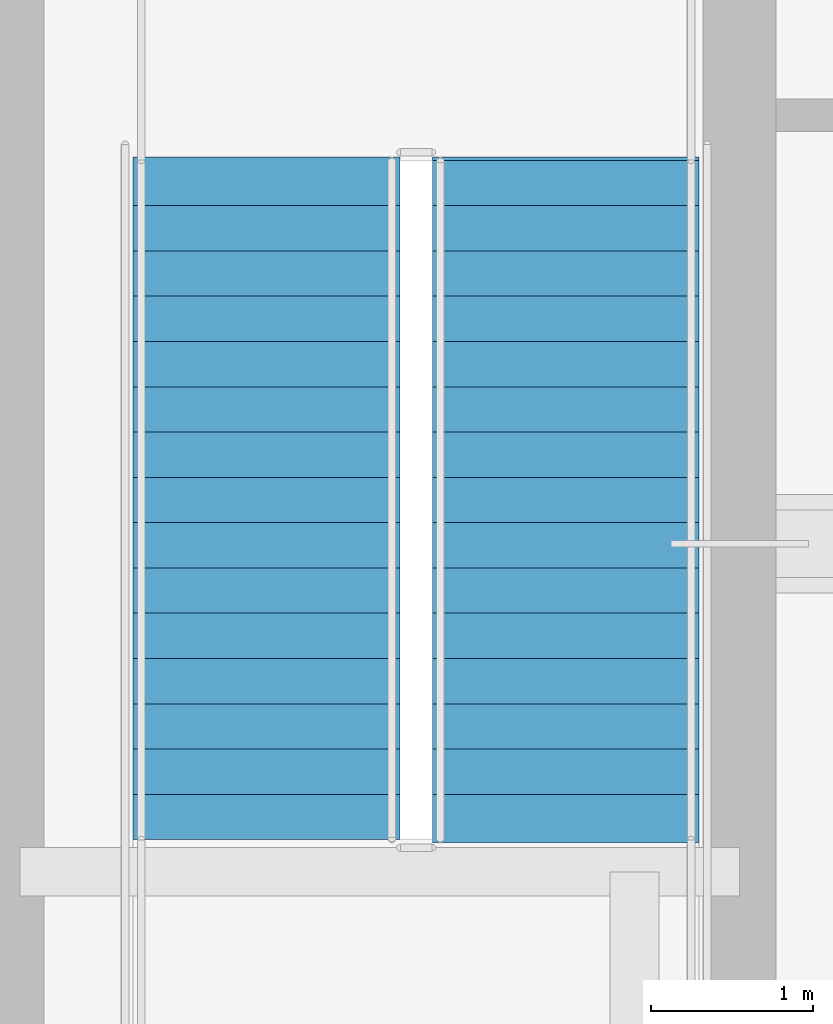
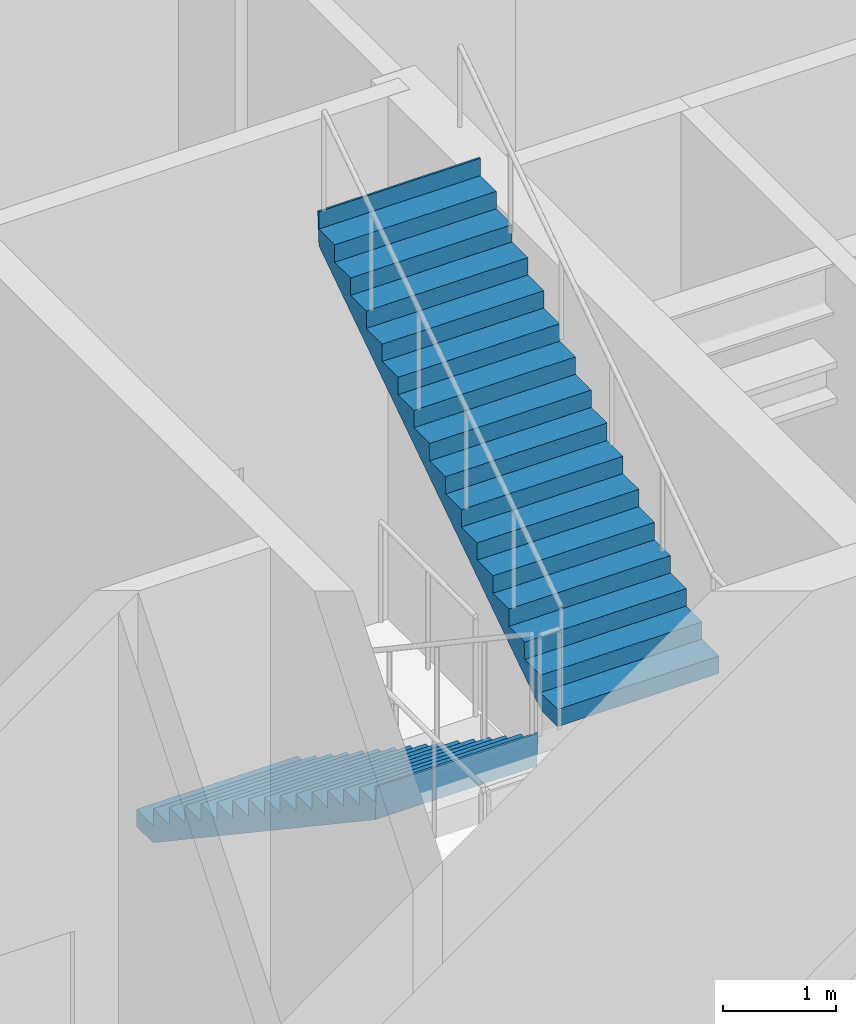
# One storey, part 17 of 21: 2 stair flights, 1 element without a shape of its own.
"""IFC4 building model written with IfcOpenShell, lengths in metres."""

from ifc_helpers import new_model, si_unit, direction, frame, origin, place, context, subcontext, project, spatial, polygons, material, type_object, element, aggregate, save


model = new_model("IFC4")

# Units and contexts
model_context = context("Model", 3, precision=1e-05, world=origin(), true_north=direction((0.0, 1.0)))
body_context = subcontext(model_context, "Body", "Model", "MODEL_VIEW")
ifc_project = project(units=[si_unit("LENGTHUNIT", "METRE"), si_unit("AREAUNIT", "SQUARE_METRE"), si_unit("VOLUMEUNIT", "CUBIC_METRE"), si_unit("PLANEANGLEUNIT", "RADIAN"), si_unit("MASSUNIT", "GRAM", prefix="KILO")], contexts=[model_context])

# Site, building, storey
site_placement = place(None, origin())
site = spatial("IfcSite", under=ifc_project, at=site_placement, CompositionType="ELEMENT")
building_placement = place(site_placement, origin())
building = spatial("IfcBuilding", under=site, at=building_placement, Name="Serunith Strait Residences", CompositionType="ELEMENT")
storey_placement = place(building_placement, frame((0.0, 0.0, 109.199951171875)))
storey = spatial("IfcBuildingStorey", under=building, at=storey_placement, Name="L27", CompositionType="ELEMENT", Elevation=109.199951171875)

# Stair, stair flights
ifc_material = material(Name="Concrete C50/60", Category="concrete")
stair_type = type_object("IfcStairType", Name="STR-CORE-2", PredefinedType="HALF_TURN_STAIR", material=ifc_material)
stair_placement = place(storey_placement, origin())
stair = element("IfcStair", 1, at=stair_placement, inside=storey, type_object=stair_type, Name="L27 Protected Escape Stair ST-2", PredefinedType="HALF_TURN_STAIR")
stair_flight_type = type_object("IfcStairFlightType", Name="FLT-CORE-2", PredefinedType="STRAIGHT", material=ifc_material)
stair_flight_1_placement = place(storey_placement, frame((38.47509765625, 23.3701171875, 0.0), z_axis=(0.0, 0.0, 1.0), x_axis=(0.0, -1.0, 0.0)))
stair_flight_1 = element("IfcStairFlight", 2, at=stair_flight_1_placement, type_object=stair_flight_type, Name="ST-2 flight 1", NumberOfRisers=16, NumberOfTreads=15, PredefinedType="STRAIGHT", RiserHeight=0.1875, TreadLength=0.28, context=body_context, shape_type="Tessellation", body=[
    polygons([(-0.02001953125, -0.824951171875, 0.0), (-0.02001953125, -0.824951171875, 0.1875), (0.280029296875, -0.824951171875, 0.1875), (0.280029296875, -0.824951171875, 0.375), (0.56005859375, -0.824951171875, 0.375), (0.56005859375, -0.824951171875, 0.5625), (0.840087890625, -0.824951171875, 0.5625), (0.840087890625, -0.824951171875, 0.75), (1.1201171875, -0.824951171875, 0.75), (1.1201171875, -0.824951171875, 0.9375), (1.39990234375, -0.824951171875, 0.9375), (1.39990234375, -0.824951171875, 1.125), (1.679931640625, -0.824951171875, 1.125), (1.679931640625, -0.824951171875, 1.3125), (1.9599609375, -0.824951171875, 1.3125), (1.9599609375, -0.824951171875, 1.5), (2.239990234375, -0.824951171875, 1.5), (2.239990234375, -0.824951171875, 1.6875), (2.52001953125, -0.824951171875, 1.6875), (2.52001953125, -0.824951171875, 1.875), (2.800048828125, -0.824951171875, 1.875), (2.800048828125, -0.824951171875, 2.0625), (3.080078125, -0.824951171875, 2.0625), (3.080078125, -0.824951171875, 2.25), (3.360107421875, -0.824951171875, 2.25), (3.360107421875, -0.824951171875, 2.4375), (3.639892578125, -0.824951171875, 2.4375), (3.639892578125, -0.824951171875, 2.625), (3.919921875, -0.824951171875, 2.625), (3.919921875, -0.824951171875, 2.8125), (4.199951171875, -0.824951171875, 2.8125), (4.199951171875, -0.824951171875, 3.0), (4.219970703125, -0.824951171875, 3.0), (4.219970703125, -0.824951171875, 2.93994140625), (4.199951171875, -0.824951171875, 2.632080078125), (0.26953125, -0.824951171875, 0.0), (-0.02001953125, -0.41259765625, 0.0), (-0.02001953125, -0.41259765625, 0.1875), (0.280029296875, -0.41259765625, 0.1875), (0.280029296875, -0.41259765625, 0.375), (0.56005859375, -0.41259765625, 0.375), (0.56005859375, -0.41259765625, 0.5625), (0.840087890625, -0.41259765625, 0.5625), (0.840087890625, -0.41259765625, 0.75), (1.1201171875, -0.41259765625, 0.75), (1.1201171875, -0.41259765625, 0.9375), (1.39990234375, -0.41259765625, 0.9375), (1.39990234375, -0.41259765625, 1.125), (1.679931640625, -0.41259765625, 1.125), (1.679931640625, -0.41259765625, 1.3125), (1.9599609375, -0.41259765625, 1.3125), (1.9599609375, -0.41259765625, 1.5), (2.239990234375, -0.41259765625, 1.5), (2.239990234375, -0.41259765625, 1.6875), (2.52001953125, -0.41259765625, 1.6875), (2.52001953125, -0.41259765625, 1.875), (2.800048828125, -0.41259765625, 1.875), (2.800048828125, -0.41259765625, 2.0625), (3.080078125, -0.41259765625, 2.0625), (3.080078125, -0.41259765625, 2.25), (3.360107421875, -0.41259765625, 2.25), (3.360107421875, -0.41259765625, 2.4375), (3.639892578125, -0.41259765625, 2.4375), (3.639892578125, -0.41259765625, 2.625), (3.919921875, -0.41259765625, 2.625), (3.919921875, -0.41259765625, 2.8125), (4.199951171875, -0.41259765625, 2.8125), (4.199951171875, -0.41259765625, 3.0), (4.219970703125, -0.41259765625, 3.0), (4.219970703125, -0.41259765625, 2.93994140625), (4.199951171875, -0.41259765625, 2.632080078125), (0.26953125, -0.41259765625, 0.0), (-0.02001953125, 0.0, 0.0), (-0.02001953125, 0.0, 0.1875), (0.280029296875, 0.0, 0.1875), (0.280029296875, 0.0, 0.375), (0.56005859375, 0.0, 0.375), (0.56005859375, 0.0, 0.5625), (0.840087890625, 0.0, 0.5625), (0.840087890625, 0.0, 0.75), (1.1201171875, 0.0, 0.75), (1.1201171875, 0.0, 0.9375), (1.39990234375, 0.0, 0.9375), (1.39990234375, 0.0, 1.125), (1.679931640625, 0.0, 1.125), (1.679931640625, 0.0, 1.3125), (1.9599609375, 0.0, 1.3125), (1.9599609375, 0.0, 1.5), (2.239990234375, 0.0, 1.5), (2.239990234375, 0.0, 1.6875), (2.52001953125, 0.0, 1.6875), (2.52001953125, 0.0, 1.875), (2.800048828125, 0.0, 1.875), (2.800048828125, 0.0, 2.0625), (3.080078125, 0.0, 2.0625), (3.080078125, 0.0, 2.25), (3.360107421875, 0.0, 2.25), (3.360107421875, 0.0, 2.4375), (3.639892578125, 0.0, 2.4375), (3.639892578125, 0.0, 2.625), (3.919921875, 0.0, 2.625), (3.919921875, 0.0, 2.8125), (4.199951171875, 0.0, 2.8125), (4.199951171875, 0.0, 3.0), (4.219970703125, 0.0, 3.0), (4.219970703125, 0.0, 2.93994140625), (4.199951171875, 0.0, 2.632080078125), (0.26953125, 0.0, 0.0), (-0.02001953125, 0.41259765625, 0.0), (-0.02001953125, 0.41259765625, 0.1875), (0.280029296875, 0.41259765625, 0.1875), (0.280029296875, 0.41259765625, 0.375), (0.56005859375, 0.41259765625, 0.375), (0.56005859375, 0.41259765625, 0.5625), (0.840087890625, 0.41259765625, 0.5625), (0.840087890625, 0.41259765625, 0.75), (1.1201171875, 0.41259765625, 0.75), (1.1201171875, 0.41259765625, 0.9375), (1.39990234375, 0.41259765625, 0.9375), (1.39990234375, 0.41259765625, 1.125), (1.679931640625, 0.41259765625, 1.125), (1.679931640625, 0.41259765625, 1.3125), (1.9599609375, 0.41259765625, 1.3125), (1.9599609375, 0.41259765625, 1.5), (2.239990234375, 0.41259765625, 1.5), (2.239990234375, 0.41259765625, 1.6875), (2.52001953125, 0.41259765625, 1.6875), (2.52001953125, 0.41259765625, 1.875), (2.800048828125, 0.41259765625, 1.875), (2.800048828125, 0.41259765625, 2.0625), (3.080078125, 0.41259765625, 2.0625), (3.080078125, 0.41259765625, 2.25), (3.360107421875, 0.41259765625, 2.25), (3.360107421875, 0.41259765625, 2.4375), (3.639892578125, 0.41259765625, 2.4375), (3.639892578125, 0.41259765625, 2.625), (3.919921875, 0.41259765625, 2.625), (3.919921875, 0.41259765625, 2.8125), (4.199951171875, 0.41259765625, 2.8125), (4.199951171875, 0.41259765625, 3.0), (4.219970703125, 0.41259765625, 3.0), (4.219970703125, 0.41259765625, 2.93994140625), (4.199951171875, 0.41259765625, 2.632080078125), (0.26953125, 0.41259765625, 0.0), (-0.02001953125, 0.824951171875, 0.0), (-0.02001953125, 0.824951171875, 0.1875), (0.280029296875, 0.824951171875, 0.1875), (0.280029296875, 0.824951171875, 0.375), (0.56005859375, 0.824951171875, 0.375), (0.56005859375, 0.824951171875, 0.5625), (0.840087890625, 0.824951171875, 0.5625), (0.840087890625, 0.824951171875, 0.75), (1.1201171875, 0.824951171875, 0.75), (1.1201171875, 0.824951171875, 0.9375), (1.39990234375, 0.824951171875, 0.9375), (1.39990234375, 0.824951171875, 1.125), (1.679931640625, 0.824951171875, 1.125), (1.679931640625, 0.824951171875, 1.3125), (1.9599609375, 0.824951171875, 1.3125), (1.9599609375, 0.824951171875, 1.5), (2.239990234375, 0.824951171875, 1.5), (2.239990234375, 0.824951171875, 1.6875), (2.52001953125, 0.824951171875, 1.6875), (2.52001953125, 0.824951171875, 1.875), (2.800048828125, 0.824951171875, 1.875), (2.800048828125, 0.824951171875, 2.0625), (3.080078125, 0.824951171875, 2.0625), (3.080078125, 0.824951171875, 2.25), (3.360107421875, 0.824951171875, 2.25), (3.360107421875, 0.824951171875, 2.4375), (3.639892578125, 0.824951171875, 2.4375), (3.639892578125, 0.824951171875, 2.625), (3.919921875, 0.824951171875, 2.625), (3.919921875, 0.824951171875, 2.8125), (4.199951171875, 0.824951171875, 2.8125), (4.199951171875, 0.824951171875, 3.0), (4.219970703125, 0.824951171875, 3.0), (4.219970703125, 0.824951171875, 2.93994140625), (4.199951171875, 0.824951171875, 2.632080078125), (0.26953125, 0.824951171875, 0.0)], [[[1, 2, 38, 37]], [[2, 3, 39, 38]], [[3, 4, 40, 39]], [[4, 5, 41, 40]], [[5, 6, 42, 41]], [[6, 7, 43, 42]], [[7, 8, 44, 43]], [[8, 9, 45, 44]], [[9, 10, 46, 45]], [[10, 11, 47, 46]], [[11, 12, 48, 47]], [[12, 13, 49, 48]], [[13, 14, 50, 49]], [[14, 15, 51, 50]], [[15, 16, 52, 51]], [[16, 17, 53, 52]], [[17, 18, 54, 53]], [[18, 19, 55, 54]], [[19, 20, 56, 55]], [[20, 21, 57, 56]], [[21, 22, 58, 57]], [[22, 23, 59, 58]], [[23, 24, 60, 59]], [[24, 25, 61, 60]], [[25, 26, 62, 61]], [[26, 27, 63, 62]], [[27, 28, 64, 63]], [[28, 29, 65, 64]], [[29, 30, 66, 65]], [[30, 31, 67, 66]], [[31, 32, 68, 67]], [[32, 33, 69, 68]], [[33, 34, 70, 69]], [[34, 35, 71, 70]], [[35, 36, 72, 71]], [[36, 1, 37, 72]], [[37, 38, 74, 73]], [[38, 39, 75, 74]], [[39, 40, 76, 75]], [[40, 41, 77, 76]], [[41, 42, 78, 77]], [[42, 43, 79, 78]], [[43, 44, 80, 79]], [[44, 45, 81, 80]], [[45, 46, 82, 81]], [[46, 47, 83, 82]], [[47, 48, 84, 83]], [[48, 49, 85, 84]], [[49, 50, 86, 85]], [[50, 51, 87, 86]], [[51, 52, 88, 87]], [[52, 53, 89, 88]], [[53, 54, 90, 89]], [[54, 55, 91, 90]], [[55, 56, 92, 91]], [[56, 57, 93, 92]], [[57, 58, 94, 93]], [[58, 59, 95, 94]], [[59, 60, 96, 95]], [[60, 61, 97, 96]], [[61, 62, 98, 97]], [[62, 63, 99, 98]], [[63, 64, 100, 99]], [[64, 65, 101, 100]], [[65, 66, 102, 101]], [[66, 67, 103, 102]], [[67, 68, 104, 103]], [[68, 69, 105, 104]], [[69, 70, 106, 105]], [[70, 71, 107, 106]], [[71, 72, 108, 107]], [[72, 37, 73, 108]], [[73, 74, 110, 109]], [[74, 75, 111, 110]], [[75, 76, 112, 111]], [[76, 77, 113, 112]], [[77, 78, 114, 113]], [[78, 79, 115, 114]], [[79, 80, 116, 115]], [[80, 81, 117, 116]], [[81, 82, 118, 117]], [[82, 83, 119, 118]], [[83, 84, 120, 119]], [[84, 85, 121, 120]], [[85, 86, 122, 121]], [[86, 87, 123, 122]], [[87, 88, 124, 123]], [[88, 89, 125, 124]], [[89, 90, 126, 125]], [[90, 91, 127, 126]], [[91, 92, 128, 127]], [[92, 93, 129, 128]], [[93, 94, 130, 129]], [[94, 95, 131, 130]], [[95, 96, 132, 131]], [[96, 97, 133, 132]], [[97, 98, 134, 133]], [[98, 99, 135, 134]], [[99, 100, 136, 135]], [[100, 101, 137, 136]], [[101, 102, 138, 137]], [[102, 103, 139, 138]], [[103, 104, 140, 139]], [[104, 105, 141, 140]], [[105, 106, 142, 141]], [[106, 107, 143, 142]], [[107, 108, 144, 143]], [[108, 73, 109, 144]], [[109, 110, 146, 145]], [[110, 111, 147, 146]], [[111, 112, 148, 147]], [[112, 113, 149, 148]], [[113, 114, 150, 149]], [[114, 115, 151, 150]], [[115, 116, 152, 151]], [[116, 117, 153, 152]], [[117, 118, 154, 153]], [[118, 119, 155, 154]], [[119, 120, 156, 155]], [[120, 121, 157, 156]], [[121, 122, 158, 157]], [[122, 123, 159, 158]], [[123, 124, 160, 159]], [[124, 125, 161, 160]], [[125, 126, 162, 161]], [[126, 127, 163, 162]], [[127, 128, 164, 163]], [[128, 129, 165, 164]], [[129, 130, 166, 165]], [[130, 131, 167, 166]], [[131, 132, 168, 167]], [[132, 133, 169, 168]], [[133, 134, 170, 169]], [[134, 135, 171, 170]], [[135, 136, 172, 171]], [[136, 137, 173, 172]], [[137, 138, 174, 173]], [[138, 139, 175, 174]], [[139, 140, 176, 175]], [[140, 141, 177, 176]], [[141, 142, 178, 177]], [[142, 143, 179, 178]], [[143, 144, 180, 179]], [[144, 109, 145, 180]], [[36, 35, 34, 33, 32, 31, 30, 29, 28, 27, 26, 25, 24, 23, 22, 21, 20, 19, 18, 17, 16, 15, 14, 13, 12, 11, 10, 9, 8, 7, 6, 5, 4, 3, 2, 1]], [[145, 146, 147, 148, 149, 150, 151, 152, 153, 154, 155, 156, 157, 158, 159, 160, 161, 162, 163, 164, 165, 166, 167, 168, 169, 170, 171, 172, 173, 174, 175, 176, 177, 178, 179, 180]]], closed=True),
])
stair_flight_2_placement = place(storey_placement, frame((40.324951171875, 19.169921875, 3.0), z_axis=(0.0, 0.0, 1.0), x_axis=(0.0, 1.0, 0.0)))
stair_flight_2 = element("IfcStairFlight", 3, at=stair_flight_2_placement, type_object=stair_flight_type, Name="ST-2 flight 2", NumberOfRisers=16, NumberOfTreads=15, PredefinedType="STRAIGHT", RiserHeight=0.1875, TreadLength=0.28, context=body_context, shape_type="Tessellation", body=[
    polygons([(-0.02001953125, -0.824951171875, 0.0), (-0.02001953125, -0.824951171875, 0.1875), (0.280029296875, -0.824951171875, 0.1875), (0.280029296875, -0.824951171875, 0.375), (0.56005859375, -0.824951171875, 0.375), (0.56005859375, -0.824951171875, 0.5625), (0.840087890625, -0.824951171875, 0.5625), (0.840087890625, -0.824951171875, 0.75), (1.1201171875, -0.824951171875, 0.75), (1.1201171875, -0.824951171875, 0.9375), (1.39990234375, -0.824951171875, 0.9375), (1.39990234375, -0.824951171875, 1.125), (1.679931640625, -0.824951171875, 1.125), (1.679931640625, -0.824951171875, 1.3125), (1.9599609375, -0.824951171875, 1.3125), (1.9599609375, -0.824951171875, 1.5), (2.239990234375, -0.824951171875, 1.5), (2.239990234375, -0.824951171875, 1.6875), (2.52001953125, -0.824951171875, 1.6875), (2.52001953125, -0.824951171875, 1.875), (2.800048828125, -0.824951171875, 1.875), (2.800048828125, -0.824951171875, 2.0625), (3.080078125, -0.824951171875, 2.0625), (3.080078125, -0.824951171875, 2.25), (3.360107421875, -0.824951171875, 2.25), (3.360107421875, -0.824951171875, 2.4375), (3.639892578125, -0.824951171875, 2.4375), (3.639892578125, -0.824951171875, 2.625), (3.919921875, -0.824951171875, 2.625), (3.919921875, -0.824951171875, 2.8125), (4.199951171875, -0.824951171875, 2.8125), (4.199951171875, -0.824951171875, 3.0), (4.219970703125, -0.824951171875, 3.0), (4.219970703125, -0.824951171875, 2.93994140625), (4.199951171875, -0.824951171875, 2.632080078125), (0.26953125, -0.824951171875, 0.0), (-0.02001953125, -0.41259765625, 0.0), (-0.02001953125, -0.41259765625, 0.1875), (0.280029296875, -0.41259765625, 0.1875), (0.280029296875, -0.41259765625, 0.375), (0.56005859375, -0.41259765625, 0.375), (0.56005859375, -0.41259765625, 0.5625), (0.840087890625, -0.41259765625, 0.5625), (0.840087890625, -0.41259765625, 0.75), (1.1201171875, -0.41259765625, 0.75), (1.1201171875, -0.41259765625, 0.9375), (1.39990234375, -0.41259765625, 0.9375), (1.39990234375, -0.41259765625, 1.125), (1.679931640625, -0.41259765625, 1.125), (1.679931640625, -0.41259765625, 1.3125), (1.9599609375, -0.41259765625, 1.3125), (1.9599609375, -0.41259765625, 1.5), (2.239990234375, -0.41259765625, 1.5), (2.239990234375, -0.41259765625, 1.6875), (2.52001953125, -0.41259765625, 1.6875), (2.52001953125, -0.41259765625, 1.875), (2.800048828125, -0.41259765625, 1.875), (2.800048828125, -0.41259765625, 2.0625), (3.080078125, -0.41259765625, 2.0625), (3.080078125, -0.41259765625, 2.25), (3.360107421875, -0.41259765625, 2.25), (3.360107421875, -0.41259765625, 2.4375), (3.639892578125, -0.41259765625, 2.4375), (3.639892578125, -0.41259765625, 2.625), (3.919921875, -0.41259765625, 2.625), (3.919921875, -0.41259765625, 2.8125), (4.199951171875, -0.41259765625, 2.8125), (4.199951171875, -0.41259765625, 3.0), (4.219970703125, -0.41259765625, 3.0), (4.219970703125, -0.41259765625, 2.93994140625), (4.199951171875, -0.41259765625, 2.632080078125), (0.26953125, -0.41259765625, 0.0), (-0.02001953125, 0.0, 0.0), (-0.02001953125, 0.0, 0.1875), (0.280029296875, 0.0, 0.1875), (0.280029296875, 0.0, 0.375), (0.56005859375, 0.0, 0.375), (0.56005859375, 0.0, 0.5625), (0.840087890625, 0.0, 0.5625), (0.840087890625, 0.0, 0.75), (1.1201171875, 0.0, 0.75), (1.1201171875, 0.0, 0.9375), (1.39990234375, 0.0, 0.9375), (1.39990234375, 0.0, 1.125), (1.679931640625, 0.0, 1.125), (1.679931640625, 0.0, 1.3125), (1.9599609375, 0.0, 1.3125), (1.9599609375, 0.0, 1.5), (2.239990234375, 0.0, 1.5), (2.239990234375, 0.0, 1.6875), (2.52001953125, 0.0, 1.6875), (2.52001953125, 0.0, 1.875), (2.800048828125, 0.0, 1.875), (2.800048828125, 0.0, 2.0625), (3.080078125, 0.0, 2.0625), (3.080078125, 0.0, 2.25), (3.360107421875, 0.0, 2.25), (3.360107421875, 0.0, 2.4375), (3.639892578125, 0.0, 2.4375), (3.639892578125, 0.0, 2.625), (3.919921875, 0.0, 2.625), (3.919921875, 0.0, 2.8125), (4.199951171875, 0.0, 2.8125), (4.199951171875, 0.0, 3.0), (4.219970703125, 0.0, 3.0), (4.219970703125, 0.0, 2.93994140625), (4.199951171875, 0.0, 2.632080078125), (0.26953125, 0.0, 0.0), (-0.02001953125, 0.41259765625, 0.0), (-0.02001953125, 0.41259765625, 0.1875), (0.280029296875, 0.41259765625, 0.1875), (0.280029296875, 0.41259765625, 0.375), (0.56005859375, 0.41259765625, 0.375), (0.56005859375, 0.41259765625, 0.5625), (0.840087890625, 0.41259765625, 0.5625), (0.840087890625, 0.41259765625, 0.75), (1.1201171875, 0.41259765625, 0.75), (1.1201171875, 0.41259765625, 0.9375), (1.39990234375, 0.41259765625, 0.9375), (1.39990234375, 0.41259765625, 1.125), (1.679931640625, 0.41259765625, 1.125), (1.679931640625, 0.41259765625, 1.3125), (1.9599609375, 0.41259765625, 1.3125), (1.9599609375, 0.41259765625, 1.5), (2.239990234375, 0.41259765625, 1.5), (2.239990234375, 0.41259765625, 1.6875), (2.52001953125, 0.41259765625, 1.6875), (2.52001953125, 0.41259765625, 1.875), (2.800048828125, 0.41259765625, 1.875), (2.800048828125, 0.41259765625, 2.0625), (3.080078125, 0.41259765625, 2.0625), (3.080078125, 0.41259765625, 2.25), (3.360107421875, 0.41259765625, 2.25), (3.360107421875, 0.41259765625, 2.4375), (3.639892578125, 0.41259765625, 2.4375), (3.639892578125, 0.41259765625, 2.625), (3.919921875, 0.41259765625, 2.625), (3.919921875, 0.41259765625, 2.8125), (4.199951171875, 0.41259765625, 2.8125), (4.199951171875, 0.41259765625, 3.0), (4.219970703125, 0.41259765625, 3.0), (4.219970703125, 0.41259765625, 2.93994140625), (4.199951171875, 0.41259765625, 2.632080078125), (0.26953125, 0.41259765625, 0.0), (-0.02001953125, 0.824951171875, 0.0), (-0.02001953125, 0.824951171875, 0.1875), (0.280029296875, 0.824951171875, 0.1875), (0.280029296875, 0.824951171875, 0.375), (0.56005859375, 0.824951171875, 0.375), (0.56005859375, 0.824951171875, 0.5625), (0.840087890625, 0.824951171875, 0.5625), (0.840087890625, 0.824951171875, 0.75), (1.1201171875, 0.824951171875, 0.75), (1.1201171875, 0.824951171875, 0.9375), (1.39990234375, 0.824951171875, 0.9375), (1.39990234375, 0.824951171875, 1.125), (1.679931640625, 0.824951171875, 1.125), (1.679931640625, 0.824951171875, 1.3125), (1.9599609375, 0.824951171875, 1.3125), (1.9599609375, 0.824951171875, 1.5), (2.239990234375, 0.824951171875, 1.5), (2.239990234375, 0.824951171875, 1.6875), (2.52001953125, 0.824951171875, 1.6875), (2.52001953125, 0.824951171875, 1.875), (2.800048828125, 0.824951171875, 1.875), (2.800048828125, 0.824951171875, 2.0625), (3.080078125, 0.824951171875, 2.0625), (3.080078125, 0.824951171875, 2.25), (3.360107421875, 0.824951171875, 2.25), (3.360107421875, 0.824951171875, 2.4375), (3.639892578125, 0.824951171875, 2.4375), (3.639892578125, 0.824951171875, 2.625), (3.919921875, 0.824951171875, 2.625), (3.919921875, 0.824951171875, 2.8125), (4.199951171875, 0.824951171875, 2.8125), (4.199951171875, 0.824951171875, 3.0), (4.219970703125, 0.824951171875, 3.0), (4.219970703125, 0.824951171875, 2.93994140625), (4.199951171875, 0.824951171875, 2.632080078125), (0.26953125, 0.824951171875, 0.0)], [[[1, 2, 38, 37]], [[2, 3, 39, 38]], [[3, 4, 40, 39]], [[4, 5, 41, 40]], [[5, 6, 42, 41]], [[6, 7, 43, 42]], [[7, 8, 44, 43]], [[8, 9, 45, 44]], [[9, 10, 46, 45]], [[10, 11, 47, 46]], [[11, 12, 48, 47]], [[12, 13, 49, 48]], [[13, 14, 50, 49]], [[14, 15, 51, 50]], [[15, 16, 52, 51]], [[16, 17, 53, 52]], [[17, 18, 54, 53]], [[18, 19, 55, 54]], [[19, 20, 56, 55]], [[20, 21, 57, 56]], [[21, 22, 58, 57]], [[22, 23, 59, 58]], [[23, 24, 60, 59]], [[24, 25, 61, 60]], [[25, 26, 62, 61]], [[26, 27, 63, 62]], [[27, 28, 64, 63]], [[28, 29, 65, 64]], [[29, 30, 66, 65]], [[30, 31, 67, 66]], [[31, 32, 68, 67]], [[32, 33, 69, 68]], [[33, 34, 70, 69]], [[34, 35, 71, 70]], [[35, 36, 72, 71]], [[36, 1, 37, 72]], [[37, 38, 74, 73]], [[38, 39, 75, 74]], [[39, 40, 76, 75]], [[40, 41, 77, 76]], [[41, 42, 78, 77]], [[42, 43, 79, 78]], [[43, 44, 80, 79]], [[44, 45, 81, 80]], [[45, 46, 82, 81]], [[46, 47, 83, 82]], [[47, 48, 84, 83]], [[48, 49, 85, 84]], [[49, 50, 86, 85]], [[50, 51, 87, 86]], [[51, 52, 88, 87]], [[52, 53, 89, 88]], [[53, 54, 90, 89]], [[54, 55, 91, 90]], [[55, 56, 92, 91]], [[56, 57, 93, 92]], [[57, 58, 94, 93]], [[58, 59, 95, 94]], [[59, 60, 96, 95]], [[60, 61, 97, 96]], [[61, 62, 98, 97]], [[62, 63, 99, 98]], [[63, 64, 100, 99]], [[64, 65, 101, 100]], [[65, 66, 102, 101]], [[66, 67, 103, 102]], [[67, 68, 104, 103]], [[68, 69, 105, 104]], [[69, 70, 106, 105]], [[70, 71, 107, 106]], [[71, 72, 108, 107]], [[72, 37, 73, 108]], [[73, 74, 110, 109]], [[74, 75, 111, 110]], [[75, 76, 112, 111]], [[76, 77, 113, 112]], [[77, 78, 114, 113]], [[78, 79, 115, 114]], [[79, 80, 116, 115]], [[80, 81, 117, 116]], [[81, 82, 118, 117]], [[82, 83, 119, 118]], [[83, 84, 120, 119]], [[84, 85, 121, 120]], [[85, 86, 122, 121]], [[86, 87, 123, 122]], [[87, 88, 124, 123]], [[88, 89, 125, 124]], [[89, 90, 126, 125]], [[90, 91, 127, 126]], [[91, 92, 128, 127]], [[92, 93, 129, 128]], [[93, 94, 130, 129]], [[94, 95, 131, 130]], [[95, 96, 132, 131]], [[96, 97, 133, 132]], [[97, 98, 134, 133]], [[98, 99, 135, 134]], [[99, 100, 136, 135]], [[100, 101, 137, 136]], [[101, 102, 138, 137]], [[102, 103, 139, 138]], [[103, 104, 140, 139]], [[104, 105, 141, 140]], [[105, 106, 142, 141]], [[106, 107, 143, 142]], [[107, 108, 144, 143]], [[108, 73, 109, 144]], [[109, 110, 146, 145]], [[110, 111, 147, 146]], [[111, 112, 148, 147]], [[112, 113, 149, 148]], [[113, 114, 150, 149]], [[114, 115, 151, 150]], [[115, 116, 152, 151]], [[116, 117, 153, 152]], [[117, 118, 154, 153]], [[118, 119, 155, 154]], [[119, 120, 156, 155]], [[120, 121, 157, 156]], [[121, 122, 158, 157]], [[122, 123, 159, 158]], [[123, 124, 160, 159]], [[124, 125, 161, 160]], [[125, 126, 162, 161]], [[126, 127, 163, 162]], [[127, 128, 164, 163]], [[128, 129, 165, 164]], [[129, 130, 166, 165]], [[130, 131, 167, 166]], [[131, 132, 168, 167]], [[132, 133, 169, 168]], [[133, 134, 170, 169]], [[134, 135, 171, 170]], [[135, 136, 172, 171]], [[136, 137, 173, 172]], [[137, 138, 174, 173]], [[138, 139, 175, 174]], [[139, 140, 176, 175]], [[140, 141, 177, 176]], [[141, 142, 178, 177]], [[142, 143, 179, 178]], [[143, 144, 180, 179]], [[144, 109, 145, 180]], [[36, 35, 34, 33, 32, 31, 30, 29, 28, 27, 26, 25, 24, 23, 22, 21, 20, 19, 18, 17, 16, 15, 14, 13, 12, 11, 10, 9, 8, 7, 6, 5, 4, 3, 2, 1]], [[145, 146, 147, 148, 149, 150, 151, 152, 153, 154, 155, 156, 157, 158, 159, 160, 161, 162, 163, 164, 165, 166, 167, 168, 169, 170, 171, 172, 173, 174, 175, 176, 177, 178, 179, 180]]], closed=True),
])
aggregate(stair, [stair_flight_1, stair_flight_2])

save(model, "model.ifc")
